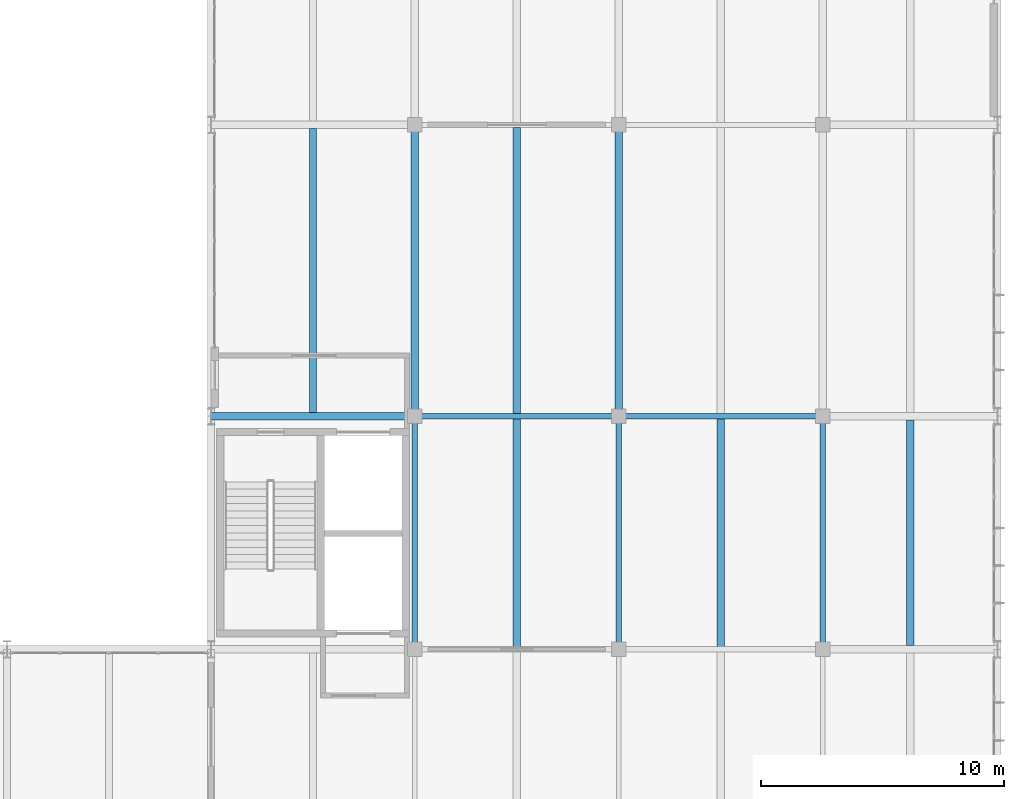
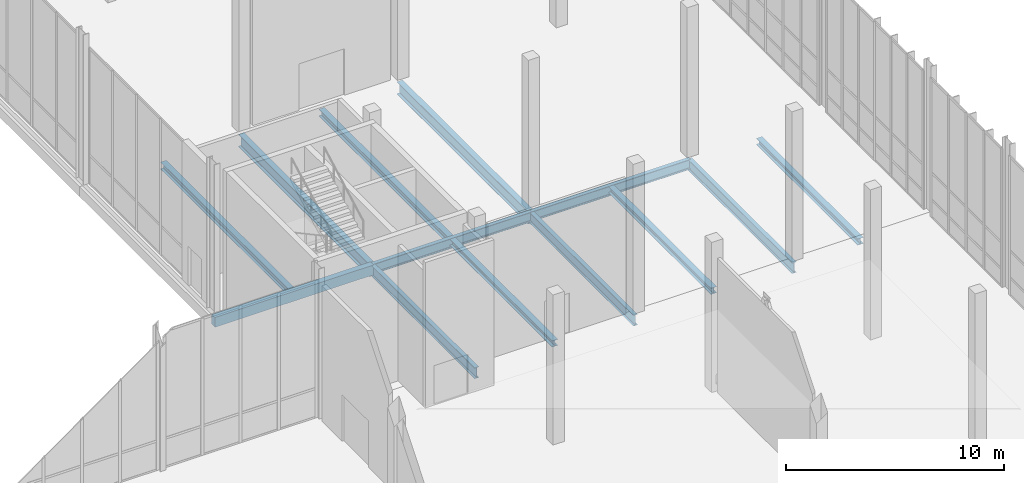
# One storey, part 93 of 131: 13 beams.
"""IFC4 building model written with IfcOpenShell, lengths in metres."""

from ifc_helpers import new_model, si_unit, direction, frame, origin, origin_2d, place, context, subcontext, project, spatial, rectangle, i_section, extrude, material, material_profile, profile_set, type_object, element, save


model = new_model("IFC4")

# Units and contexts
model_context = context("Model", 3, precision=1e-05, world=origin(), true_north=direction((0.0, 1.0)))
body_context = subcontext(model_context, "Body", "Model", "MODEL_VIEW")
ifc_project = project(units=[si_unit("LENGTHUNIT", "METRE"), si_unit("AREAUNIT", "SQUARE_METRE"), si_unit("VOLUMEUNIT", "CUBIC_METRE"), si_unit("PLANEANGLEUNIT", "RADIAN"), si_unit("MASSUNIT", "GRAM", prefix="KILO")], contexts=[model_context])

# Site, building, storey
site_placement = place(None, origin())
site = spatial("IfcSite", under=ifc_project, at=site_placement, CompositionType="ELEMENT")
building_placement = place(site_placement, origin())
building = spatial("IfcBuilding", under=site, at=building_placement, Name="Veltarok Museum of Natural Sciences", CompositionType="ELEMENT")
storey_placement = place(building_placement, origin())
storey = spatial("IfcBuildingStorey", under=building, at=storey_placement, Name="L00", CompositionType="ELEMENT", Elevation=0.0)

# Beams
ifc_material_1 = material(Name="Steel S355J2", Category="steel")
ifc_material_profile_1 = material_profile(ifc_material_1, i_section(OverallWidth=0.2099609375, OverallDepth=0.550048828125, WebThickness=0.010986328125, FlangeThickness=0.01708984375, FilletRadius=0.02392578125, at=origin_2d()), Name="IPE 550")
ifc_profile_set_1 = profile_set([ifc_material_profile_1], Name="Steel S355J2")
beam_type_1 = type_object("IfcBeamType", Name="Archive Heavy Girder IPE 550", PredefinedType="BEAM", material=ifc_profile_set_1)
beam_1_placement = place(storey_placement, frame((140.800048828125, 36.0, -0.574951171875), z_axis=(1.0, 0.0, 0.0), x_axis=(0.0, 1.0, 0.0)))
element("IfcBeam", 1, at=beam_1_placement, inside=storey, type_object=beam_type_1, Name="Beam BM-G03 L00 17-18/E", PredefinedType="BEAM", context=body_context, shape_type="SweptSolid", body=[
    extrude(i_section(OverallWidth=0.2099609375, OverallDepth=0.550048828125, WebThickness=0.010986328125, FlangeThickness=0.01708984375, FilletRadius=0.02392578125, at=origin_2d()), origin(), (0.0, 0.0, 1.0), 8.39990234375),
])
beam_2_placement = place(storey_placement, frame((149.199951171875, 36.0, -0.574951171875), z_axis=(1.0, 0.0, 0.0), x_axis=(0.0, 1.0, 0.0)))
element("IfcBeam", 2, at=beam_2_placement, inside=storey, type_object=beam_type_1, Name="Beam BM-G03 L00 18-19/E", PredefinedType="BEAM", context=body_context, shape_type="SweptSolid", body=[
    extrude(i_section(OverallWidth=0.2099609375, OverallDepth=0.550048828125, WebThickness=0.010986328125, FlangeThickness=0.01708984375, FilletRadius=0.02392578125, at=origin_2d()), origin(), (0.0, 0.0, 1.0), 8.400146484375),
])
ifc_material_2 = material(Name="Precast concrete C40/50", Category="concrete")
ifc_material_profile_2 = material_profile(ifc_material_2, rectangle(XDim=0.300048828125, YDim=0.550048828125, at=origin_2d()), Name="RC 300x550")
ifc_profile_set_2 = profile_set([ifc_material_profile_2], Name="Precast concrete C40/50")
beam_type_2 = type_object("IfcBeamType", Name="East Wing Precast Spandrel RC 300x550", PredefinedType="SPANDREL", material=ifc_profile_set_2)
beam_3_placement = place(storey_placement, frame((132.39990234375, 36.0, -0.574951171875), z_axis=(1.0, 0.0, 0.0), x_axis=(0.0, 1.0, 0.0)))
element("IfcBeam", 3, at=beam_3_placement, inside=storey, type_object=beam_type_2, Name="Beam BM-SP02 L00 16-17/E", PredefinedType="SPANDREL", context=body_context, shape_type="SweptSolid", body=[
    extrude(rectangle(XDim=0.300048828125, YDim=0.550048828125, at=origin_2d()), origin(), (0.0, 0.0, 1.0), 8.400146484375),
])
ifc_material_profile_3 = material_profile(ifc_material_1, i_section(OverallWidth=0.300048828125, OverallDepth=0.389892578125, WebThickness=0.010986328125, FlangeThickness=0.01904296875, FilletRadius=0.027099609375, at=origin_2d()), Name="HEA 400")
ifc_profile_set_3 = profile_set([ifc_material_profile_3], Name="Steel S355J2")
beam_type_3 = type_object("IfcBeamType", Name="Heavy Archive Joist HEA 400", PredefinedType="JOIST", material=ifc_profile_set_3)
beam_4_placement = place(storey_placement, frame((136.60009765625, 36.14794921875, -0.4951171875), z_axis=(0.0, 1.0, 0.0), x_axis=(-1.0, 0.0, 0.0)))
element("IfcBeam", 4, at=beam_4_placement, inside=storey, type_object=beam_type_3, Name="Secondary Joist BM-J06 L00 16-17/E-F.1", PredefinedType="JOIST", context=body_context, shape_type="SweptSolid", body=[
    extrude(i_section(OverallWidth=0.300048828125, OverallDepth=0.389892578125, WebThickness=0.010986328125, FlangeThickness=0.01904296875, FilletRadius=0.027099609375, at=origin_2d()), origin(), (0.0, 0.0, 1.0), 11.7041015625),
])
beam_5_placement = place(storey_placement, frame((145.0, 36.10302734375, -0.4951171875), z_axis=(0.0, 1.0, 0.0), x_axis=(-1.0, 0.0, 0.0)))
element("IfcBeam", 5, at=beam_5_placement, inside=storey, type_object=beam_type_3, Name="Secondary Joist BM-J06 L00 17-18/E-F.1", PredefinedType="JOIST", context=body_context, shape_type="SweptSolid", body=[
    extrude(i_section(OverallWidth=0.300048828125, OverallDepth=0.389892578125, WebThickness=0.010986328125, FlangeThickness=0.01904296875, FilletRadius=0.027099609375, at=origin_2d()), origin(), (0.0, 0.0, 1.0), 11.7939453125),
])
ifc_material_profile_4 = material_profile(ifc_material_1, i_section(OverallWidth=0.300048828125, OverallDepth=0.35009765625, WebThickness=0.010009765625, FlangeThickness=0.017578125, FilletRadius=0.027099609375, at=origin_2d()), Name="HEA 360")
ifc_profile_set_4 = profile_set([ifc_material_profile_4], Name="Steel S355J2")
beam_type_4 = type_object("IfcBeamType", Name="Long-Span Gallery Joist HEA 360", PredefinedType="JOIST", material=ifc_profile_set_4)
for number, where, z_axis, x_axis, name in (
    (6, (145.0, 26.5029296875, -0.47509765625), (0.0, 1.0, 0.0), (-1.0, 0.0, 0.0), "Secondary Joist BM-J07 L00 17-18/D-E.1"),
    (7, (153.39990234375, 26.5029296875, -0.47509765625), (0.0, 1.0, 0.0), (-1.0, 0.0, 0.0), "Secondary Joist BM-J07 L00 18-19/D-E.1"),
):
    element("IfcBeam", number, at=place(storey_placement, frame(where, z_axis=z_axis, x_axis=x_axis)), inside=storey, type_object=beam_type_4, Name=name, PredefinedType="JOIST", context=body_context, shape_type="SweptSolid", body=[
        extrude(i_section(OverallWidth=0.300048828125, OverallDepth=0.35009765625, WebThickness=0.010009765625, FlangeThickness=0.017578125, FilletRadius=0.027099609375, at=origin_2d()), origin(), (0.0, 0.0, 1.0), 9.39404296875),
    ])
beam_6_placement = place(storey_placement, frame((161.199951171875, 26.548095703125, -0.47509765625), z_axis=(0.0, 1.0, 0.0), x_axis=(-1.0, 0.0, 0.0)))
element("IfcBeam", 8, at=beam_6_placement, inside=storey, type_object=beam_type_4, Name="Secondary Joist BM-J07 L00 19-20/D-E.1", PredefinedType="JOIST", context=body_context, shape_type="SweptSolid", body=[
    extrude(i_section(OverallWidth=0.300048828125, OverallDepth=0.35009765625, WebThickness=0.010009765625, FlangeThickness=0.017578125, FilletRadius=0.027099609375, at=origin_2d()), origin(), (0.0, 0.0, 1.0), 9.303955078125),
])
ifc_material_profile_5 = material_profile(ifc_material_1, i_section(OverallWidth=0.300048828125, OverallDepth=0.699951171875, WebThickness=0.01708984375, FlangeThickness=0.031982421875, FilletRadius=0.027099609375, at=origin_2d()), Name="HEB 700")
ifc_profile_set_5 = profile_set([ifc_material_profile_5], Name="Steel S355J2")
beam_type_5 = type_object("IfcBeamType", Name="Long-Span Hall Girder HEB 700", PredefinedType="BEAM", material=ifc_profile_set_5)
for number, where, z_axis, x_axis, name in (
    (9, (140.800048828125, 36.0, -0.64990234375), (0.0, 1.0, 0.0), (-1.0, 0.0, 0.0), "Beam BM-G01 L00 17/E-F"),
    (10, (149.199951171875, 36.0, -0.64990234375), (0.0, 1.0, 0.0), (-1.0, 0.0, 0.0), "Beam BM-G01 L00 18/E-F"),
):
    element("IfcBeam", number, at=place(storey_placement, frame(where, z_axis=z_axis, x_axis=x_axis)), inside=storey, type_object=beam_type_5, Name=name, PredefinedType="BEAM", context=body_context, shape_type="SweptSolid", body=[
        extrude(i_section(OverallWidth=0.300048828125, OverallDepth=0.699951171875, WebThickness=0.01708984375, FlangeThickness=0.031982421875, FilletRadius=0.027099609375, at=origin_2d()), origin(), (0.0, 0.0, 1.0), 12.0),
    ])
ifc_material_profile_6 = material_profile(ifc_material_1, i_section(OverallWidth=0.219970703125, OverallDepth=0.60009765625, WebThickness=0.011962890625, FlangeThickness=0.01904296875, FilletRadius=0.02392578125, at=origin_2d()), Name="IPE 600")
ifc_profile_set_6 = profile_set([ifc_material_profile_6], Name="Steel S355J2")
beam_type_6 = type_object("IfcBeamType", Name="Primary Museum Girder IPE 600", PredefinedType="BEAM", material=ifc_profile_set_6)
for number, where, z_axis, x_axis, name in (
    (11, (140.800048828125, 26.39990234375, -0.60009765625), (0.0, 1.0, 0.0), (-1.0, 0.0, 0.0), "Beam BM-G02 L00 17/D-E"),
    (12, (149.199951171875, 26.39990234375, -0.60009765625), (0.0, 1.0, 0.0), (-1.0, 0.0, 0.0), "Beam BM-G02 L00 18/D-E"),
    (13, (157.60009765625, 26.39990234375, -0.60009765625), (0.0, 1.0, 0.0), (-1.0, 0.0, 0.0), "Beam BM-G02 L00 19/D-E"),
):
    element("IfcBeam", number, at=place(storey_placement, frame(where, z_axis=z_axis, x_axis=x_axis)), inside=storey, type_object=beam_type_6, Name=name, PredefinedType="BEAM", context=body_context, shape_type="SweptSolid", body=[
        extrude(i_section(OverallWidth=0.219970703125, OverallDepth=0.60009765625, WebThickness=0.011962890625, FlangeThickness=0.01904296875, FilletRadius=0.02392578125, at=origin_2d()), origin(), (0.0, 0.0, 1.0), 9.60009765625),
    ])

save(model, "model.ifc")
